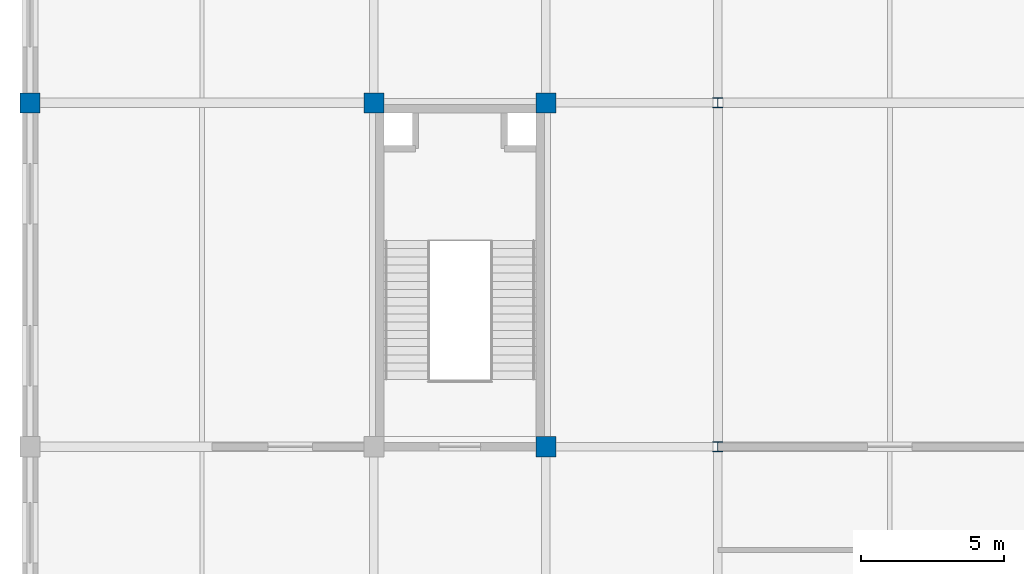
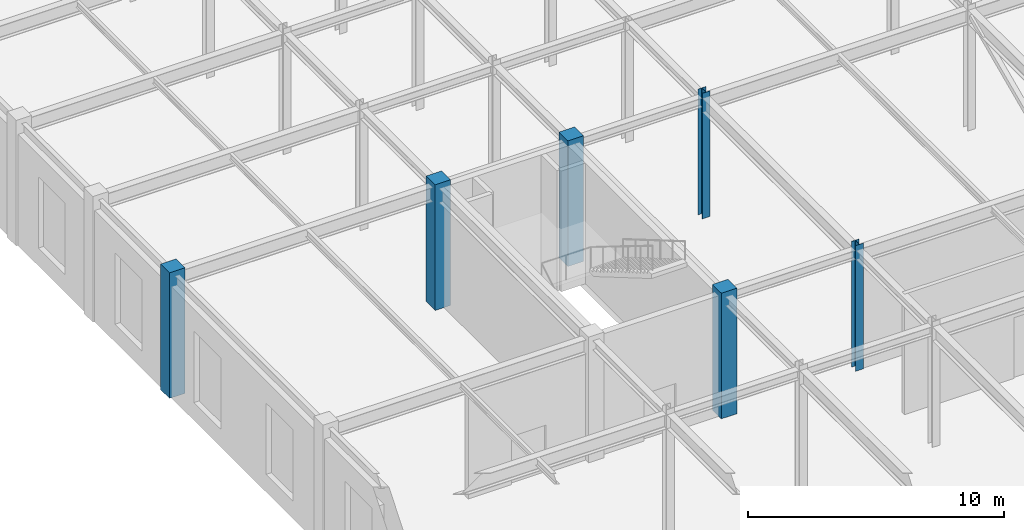
# One storey, part 2 of 51: 6 columns.
"""IFC4 building model written with IfcOpenShell, lengths in metres."""

from ifc_helpers import new_model, si_unit, direction, frame, origin, origin_2d, place, context, subcontext, project, spatial, rectangle, i_section, extrude, material, material_profile, profile_set, type_object, element, save


model = new_model("IFC4")

# Units and contexts
model_context = context("Model", 3, precision=1e-05, world=origin(), true_north=direction((0.0, 1.0)))
body_context = subcontext(model_context, "Body", "Model", "MODEL_VIEW")
ifc_project = project(units=[si_unit("LENGTHUNIT", "METRE"), si_unit("AREAUNIT", "SQUARE_METRE"), si_unit("VOLUMEUNIT", "CUBIC_METRE"), si_unit("PLANEANGLEUNIT", "RADIAN"), si_unit("MASSUNIT", "GRAM", prefix="KILO")], contexts=[model_context])

# Site, building, storey
site_placement = place(None, origin())
site = spatial("IfcSite", under=ifc_project, at=site_placement, CompositionType="ELEMENT")
building_placement = place(site_placement, origin())
building = spatial("IfcBuilding", under=site, at=building_placement, Name="Zlatovratsky Civic Hall", CompositionType="ELEMENT")
storey_placement = place(building_placement, origin())
storey = spatial("IfcBuildingStorey", under=building, at=storey_placement, Name="L01", CompositionType="ELEMENT", Elevation=0.0)

# Columns
ifc_material_1 = material(Name="Concrete C35/45 (B40)", Category="concrete")
ifc_material_profile_1 = material_profile(ifc_material_1, rectangle(XDim=0.699951171875, YDim=0.699951171875, at=origin_2d()), Name="RC 700x700")
ifc_profile_set_1 = profile_set([ifc_material_profile_1], Name="Concrete C35/45 (B40)")
column_type_1 = type_object("IfcColumnType", Name="Col_CorePier_RC700", PredefinedType="COLUMN", material=ifc_profile_set_1)
for number, where, z_axis, x_axis, name in (
    (1, (18.0, 18.0, 0.0), (0.0, 0.0, 1.0), (1.0, 0.0, 0.0), "CL-0456"),
    (2, (0.0, 30.0, 0.0), (0.0, 0.0, 1.0), (1.0, 0.0, 0.0), "CL-0477"),
    (3, (12.0, 30.0, 0.0), (0.0, 0.0, 1.0), (1.0, 0.0, 0.0), "CL-0478"),
    (4, (18.0, 30.0, 0.0), (0.0, 0.0, 1.0), (1.0, 0.0, 0.0), "CL-0479"),
):
    element("IfcColumn", number, at=place(storey_placement, frame(where, z_axis=z_axis, x_axis=x_axis)), inside=storey, type_object=column_type_1, Name=name, PredefinedType="COLUMN", context=body_context, shape_type="SweptSolid", body=[
        extrude(rectangle(XDim=0.699951171875, YDim=0.699951171875, at=origin_2d()), origin(), (0.0, 0.0, 1.0), 6.0),
    ])
ifc_material_2 = material(Name="Steel S355", Category="steel")
ifc_material_profile_2 = material_profile(ifc_material_2, i_section(OverallWidth=0.35009765625, OverallDepth=0.343017578125, WebThickness=0.010009765625, FlangeThickness=0.014892578125, FilletRadius=0.02001953125, at=origin_2d()), Name="35K1")
ifc_profile_set_2 = profile_set([ifc_material_profile_2], Name="Steel S355")
column_type_2 = type_object("IfcColumnType", Name="Col_Steel_35K1", PredefinedType="COLUMN", material=ifc_profile_set_2)
for number, where, z_axis, x_axis, name in (
    (5, (24.0, 18.0, 0.0), (0.0, 0.0, 1.0), (1.0, 0.0, 0.0), "CL-0457"),
    (6, (24.0, 30.0, 0.0), (0.0, 0.0, 1.0), (1.0, 0.0, 0.0), "CL-0480"),
):
    element("IfcColumn", number, at=place(storey_placement, frame(where, z_axis=z_axis, x_axis=x_axis)), inside=storey, type_object=column_type_2, Name=name, PredefinedType="COLUMN", context=body_context, shape_type="SweptSolid", body=[
        extrude(i_section(OverallWidth=0.35009765625, OverallDepth=0.343017578125, WebThickness=0.010009765625, FlangeThickness=0.014892578125, FilletRadius=0.02001953125, at=origin_2d()), origin(), (0.0, 0.0, 1.0), 6.0),
    ])

save(model, "model.ifc")
